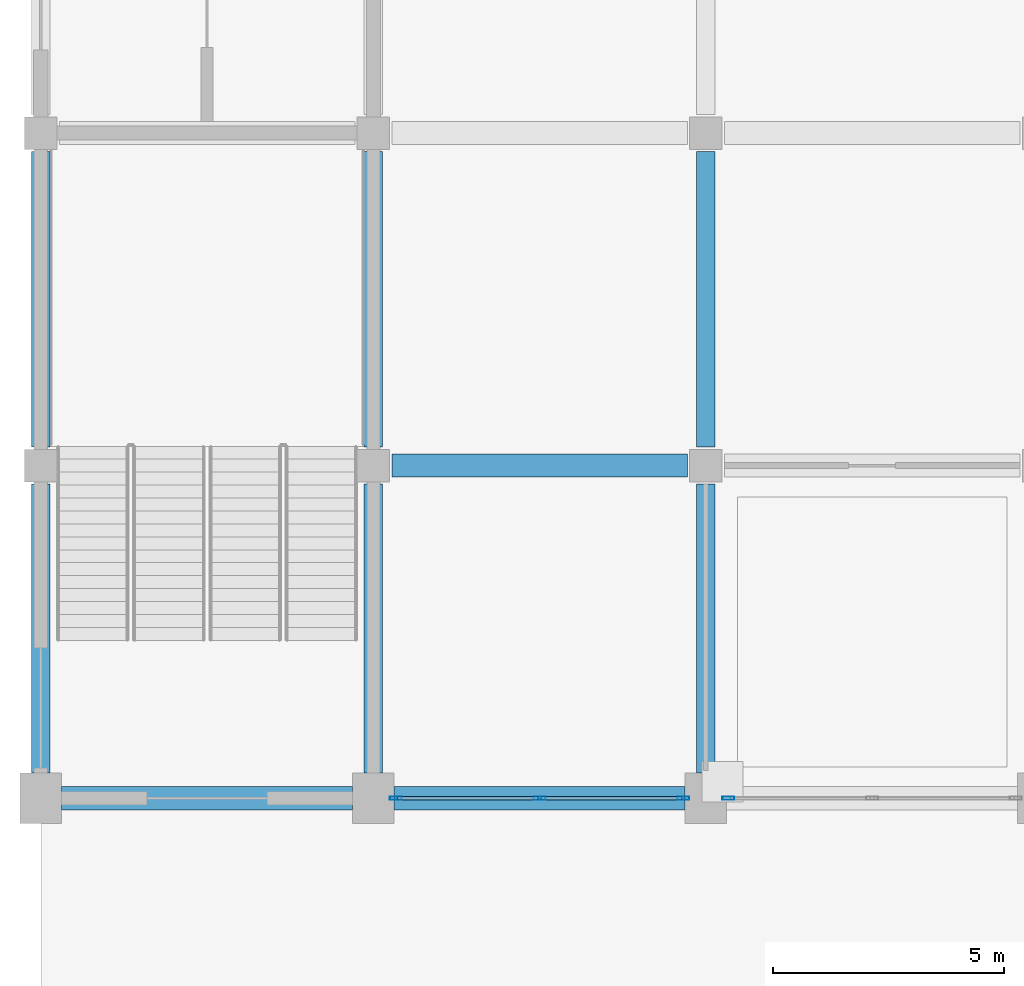
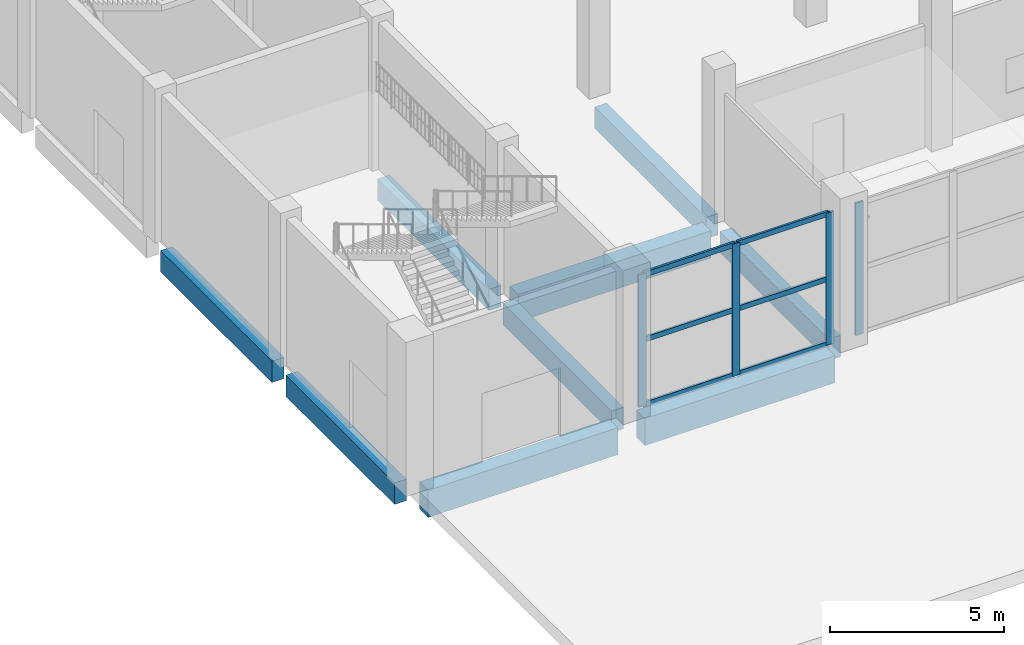
# One storey, part 4 of 70: 10 members, 9 beams, 2 elements without a shape of their own.
"""IFC4 building model written with IfcOpenShell, lengths in metres."""

from ifc_helpers import new_model, si_unit, direction, frame, origin, origin_2d, place, context, subcontext, project, spatial, rectangle, hollow_rectangle, extrude, material, material_profile, profile_set, type_object, element, aggregate, save


model = new_model("IFC4")

# Units and contexts
model_context = context("Model", 3, precision=1e-05, world=origin(), true_north=direction((0.0, 1.0)))
body_context = subcontext(model_context, "Body", "Model", "MODEL_VIEW")
ifc_project = project(units=[si_unit("LENGTHUNIT", "METRE"), si_unit("AREAUNIT", "SQUARE_METRE"), si_unit("VOLUMEUNIT", "CUBIC_METRE"), si_unit("PLANEANGLEUNIT", "RADIAN"), si_unit("MASSUNIT", "GRAM", prefix="KILO")], contexts=[model_context])

# Site, building, storey
site_placement = place(None, origin())
site = spatial("IfcSite", under=ifc_project, at=site_placement, CompositionType="ELEMENT")
building_placement = place(site_placement, origin())
building = spatial("IfcBuilding", under=site, at=building_placement, Name="Vesperath Aquatics Centre", CompositionType="ELEMENT")
storey_placement = place(building_placement, origin())
storey = spatial("IfcBuildingStorey", under=building, at=storey_placement, Name="L00", CompositionType="ELEMENT", Elevation=0.0)

# Beams
ifc_material_1 = material(Name="Concrete C40", Category="concrete")
ifc_material_profile_1 = material_profile(ifc_material_1, rectangle(XDim=0.5, YDim=0.949951171875, at=origin_2d()), Name="RC 500x950")
ifc_profile_set_1 = profile_set([ifc_material_profile_1], Name="Concrete C40")
beam_type_1 = type_object("IfcBeamType", Name="BM-G02", PredefinedType="BEAM", material=ifc_profile_set_1)
for number, where, z_axis, x_axis, name in (
    (1, (0.449951171875, 14.39990234375, -0.7548828125), (1.0, 0.0, 0.0), (0.0, 1.0, 0.0), "Floor Girder B02 L00 C 1-2"),
    (2, (7.64990234375, 14.39990234375, -0.7548828125), (1.0, 0.0, 0.0), (0.0, 1.0, 0.0), "Floor Girder B02 L00 C 2-3"),
):
    element("IfcBeam", number, at=place(storey_placement, frame(where, z_axis=z_axis, x_axis=x_axis)), inside=storey, type_object=beam_type_1, Name=name, PredefinedType="BEAM", context=body_context, shape_type="SweptSolid", body=[
        extrude(rectangle(XDim=0.5, YDim=0.949951171875, at=origin_2d()), origin(), (0.0, 0.0, 1.0), 6.300048828125),
    ])
beam_1_placement = place(storey_placement, frame((7.60009765625, 21.60009765625, -0.7548828125), z_axis=(1.0, 0.0, 0.0), x_axis=(0.0, 1.0, 0.0)))
element("IfcBeam", 3, at=beam_1_placement, inside=storey, type_object=beam_type_1, Name="Floor Girder B02 L00 D 2-3", PredefinedType="BEAM", context=body_context, shape_type="SweptSolid", body=[
    extrude(rectangle(XDim=0.5, YDim=0.949951171875, at=origin_2d()), origin(), (0.0, 0.0, 1.0), 6.39990234375),
])
ifc_material_2 = material(Name="Concrete C35", Category="concrete")
ifc_material_profile_2 = material_profile(ifc_material_2, rectangle(XDim=0.39990234375, YDim=0.75, at=origin_2d()), Name="RC 400x750")
ifc_profile_set_2 = profile_set([ifc_material_profile_2], Name="Concrete C35")
beam_type_2 = type_object("IfcBeamType", Name="BM-G04", PredefinedType="BEAM", material=ifc_profile_set_2)
beam_2_placement = place(storey_placement, frame((0.0, 14.949951171875, -0.655029296875), z_axis=(0.0, 1.0, 0.0), x_axis=(-1.0, 0.0, 0.0)))
element("IfcBeam", 4, at=beam_2_placement, inside=storey, type_object=beam_type_2, Name="Floor Girder B04 L00 1 C-D", PredefinedType="BEAM", context=body_context, shape_type="SweptSolid", body=[
    extrude(rectangle(XDim=0.39990234375, YDim=0.75, at=origin_2d()), origin(), (0.0, 0.0, 1.0), 6.25),
])
beam_3_placement = place(storey_placement, frame((0.0, 22.0, -0.655029296875), z_axis=(0.0, 1.0, 0.0), x_axis=(-1.0, 0.0, 0.0)))
element("IfcBeam", 5, at=beam_3_placement, inside=storey, type_object=beam_type_2, Name="Floor Girder B04 L00 1 D-E", PredefinedType="BEAM", context=body_context, shape_type="SweptSolid", body=[
    extrude(rectangle(XDim=0.39990234375, YDim=0.75, at=origin_2d()), origin(), (0.0, 0.0, 1.0), 6.39990234375),
])
beam_4_placement = place(storey_placement, frame((7.199951171875, 14.949951171875, -0.655029296875), z_axis=(0.0, 1.0, 0.0), x_axis=(-1.0, 0.0, 0.0)))
element("IfcBeam", 6, at=beam_4_placement, inside=storey, type_object=beam_type_2, Name="Floor Girder B04 L00 2 C-D", PredefinedType="BEAM", context=body_context, shape_type="SweptSolid", body=[
    extrude(rectangle(XDim=0.39990234375, YDim=0.75, at=origin_2d()), origin(), (0.0, 0.0, 1.0), 6.25),
])
beam_5_placement = place(storey_placement, frame((7.199951171875, 22.0, -0.655029296875), z_axis=(0.0, 1.0, 0.0), x_axis=(-1.0, 0.0, 0.0)))
element("IfcBeam", 7, at=beam_5_placement, inside=storey, type_object=beam_type_2, Name="Floor Girder B04 L00 2 D-E", PredefinedType="BEAM", context=body_context, shape_type="SweptSolid", body=[
    extrude(rectangle(XDim=0.39990234375, YDim=0.75, at=origin_2d()), origin(), (0.0, 0.0, 1.0), 6.39990234375),
])
beam_6_placement = place(storey_placement, frame((14.39990234375, 14.949951171875, -0.655029296875), z_axis=(0.0, 1.0, 0.0), x_axis=(-1.0, 0.0, 0.0)))
element("IfcBeam", 8, at=beam_6_placement, inside=storey, type_object=beam_type_2, Name="Floor Girder B04 L00 3 C-D", PredefinedType="BEAM", context=body_context, shape_type="SweptSolid", body=[
    extrude(rectangle(XDim=0.39990234375, YDim=0.75, at=origin_2d()), origin(), (0.0, 0.0, 1.0), 6.25),
])
beam_7_placement = place(storey_placement, frame((14.39990234375, 22.0, -0.655029296875), z_axis=(0.0, 1.0, 0.0), x_axis=(-1.0, 0.0, 0.0)))
element("IfcBeam", 9, at=beam_7_placement, inside=storey, type_object=beam_type_2, Name="Floor Girder B04 L00 3 D-E", PredefinedType="BEAM", context=body_context, shape_type="SweptSolid", body=[
    extrude(rectangle(XDim=0.39990234375, YDim=0.75, at=origin_2d()), origin(), (0.0, 0.0, 1.0), 6.39990234375),
])

# Curtain wall, members
ifc_material_3 = material(Name="Thermally broken anodised bronze aluminium curtain wall", Category="aluminium")
curtain_wall_type = type_object("IfcCurtainWallType", Name="CW-01", PredefinedType="NOTDEFINED", material=ifc_material_3)
curtain_wall_1_placement = place(storey_placement, origin())
curtain_wall_1 = element("IfcCurtainWall", 10, at=curtain_wall_1_placement, inside=storey, type_object=curtain_wall_type, Name="Facade Curtain Wall CW01 L00_S_01_02", PredefinedType="NOTDEFINED")
ifc_material_4 = material(Name="Thermally broken anodised aluminium", Category="aluminium")
ifc_material_profile_3 = material_profile(ifc_material_4, hollow_rectangle(XDim=0.074951171875, YDim=0.260009765625, WallThickness=0.006103515625, at=origin_2d()), Name="CWM 75x260x6")
ifc_profile_set_3 = profile_set([ifc_material_profile_3], Name="Thermally broken anodised aluminium")
member_type_1 = type_object("IfcMemberType", Name="MB-CWM1", PredefinedType="MULLION", material=ifc_profile_set_3)
member_1_placement = place(storey_placement, frame((7.6875, 14.39990234375, 0.0), z_axis=(0.0, 0.0, 1.0), x_axis=(0.0, 1.0, 0.0)))
member_1 = element("IfcMember", 11, at=member_1_placement, type_object=member_type_1, Name="CW01 mullion 1", PredefinedType="MULLION", context=body_context, shape_type="SweptSolid", body=[
    extrude(hollow_rectangle(XDim=0.074951171875, YDim=0.260009765625, WallThickness=0.006103515625, at=origin_2d()), origin(), (0.0, 0.0, 1.0), 4.639892578125),
])
member_2_placement = place(storey_placement, frame((10.800048828125, 14.39990234375, 0.0), z_axis=(0.0, 0.0, 1.0), x_axis=(0.0, 1.0, 0.0)))
member_2 = element("IfcMember", 12, at=member_2_placement, type_object=member_type_1, Name="CW01 mullion 2", PredefinedType="MULLION", context=body_context, shape_type="SweptSolid", body=[
    extrude(hollow_rectangle(XDim=0.074951171875, YDim=0.260009765625, WallThickness=0.006103515625, at=origin_2d()), origin(), (0.0, 0.0, 1.0), 4.639892578125),
])
member_3_placement = place(storey_placement, frame((13.91259765625, 14.39990234375, 0.0), z_axis=(0.0, 0.0, 1.0), x_axis=(0.0, 1.0, 0.0)))
member_3 = element("IfcMember", 13, at=member_3_placement, type_object=member_type_1, Name="CW01 mullion 3", PredefinedType="MULLION", context=body_context, shape_type="SweptSolid", body=[
    extrude(hollow_rectangle(XDim=0.074951171875, YDim=0.260009765625, WallThickness=0.006103515625, at=origin_2d()), origin(), (0.0, 0.0, 1.0), 4.639892578125),
])

# Curtain wall, member
curtain_wall_2_placement = place(storey_placement, origin())
curtain_wall_2 = element("IfcCurtainWall", 14, at=curtain_wall_2_placement, inside=storey, type_object=curtain_wall_type, Name="Facade Curtain Wall CW01 L00_S_02_02", PredefinedType="NOTDEFINED")
member_4_placement = place(storey_placement, frame((14.887451171875, 14.39990234375, 0.0), z_axis=(0.0, 0.0, 1.0), x_axis=(0.0, 1.0, 0.0)))
member_4 = element("IfcMember", 15, at=member_4_placement, type_object=member_type_1, Name="CW01 mullion 1", PredefinedType="MULLION", context=body_context, shape_type="SweptSolid", body=[
    extrude(hollow_rectangle(XDim=0.074951171875, YDim=0.260009765625, WallThickness=0.006103515625, at=origin_2d()), origin(), (0.0, 0.0, 1.0), 4.639892578125),
])
aggregate(curtain_wall_2, [member_4])

# Member
ifc_material_profile_4 = material_profile(ifc_material_4, hollow_rectangle(XDim=0.074951171875, YDim=0.179931640625, WallThickness=0.0048828125, at=origin_2d()), Name="CWT 75x180x5")
ifc_profile_set_4 = profile_set([ifc_material_profile_4], Name="Thermally broken anodised aluminium")
member_type_2 = type_object("IfcMemberType", Name="MB-CWT1", PredefinedType="USERDEFINED", material=ifc_profile_set_4)
member_5_placement = place(storey_placement, frame((7.72509765625, 14.39990234375, 0.03759765625), z_axis=(1.0, 0.0, 0.0), x_axis=(0.0, 1.0, 0.0)))
member_5 = element("IfcMember", 16, at=member_5_placement, type_object=member_type_2, Name="CW01 transom 1.1", ObjectType="TRANSOM", PredefinedType="USERDEFINED", context=body_context, shape_type="SweptSolid", body=[
    extrude(hollow_rectangle(XDim=0.074951171875, YDim=0.179931640625, WallThickness=0.0048828125, at=origin_2d()), origin(), (0.0, 0.0, 1.0), 3.037353515625),
])

member_6_placement = place(storey_placement, frame((7.72509765625, 14.39990234375, 2.320068359375), z_axis=(1.0, 0.0, 0.0), x_axis=(0.0, 1.0, 0.0)))
member_6 = element("IfcMember", 17, at=member_6_placement, type_object=member_type_2, Name="CW01 transom 1.2", ObjectType="TRANSOM", PredefinedType="USERDEFINED", context=body_context, shape_type="SweptSolid", body=[
    extrude(hollow_rectangle(XDim=0.074951171875, YDim=0.179931640625, WallThickness=0.0048828125, at=origin_2d()), origin(), (0.0, 0.0, 1.0), 3.037353515625),
])

member_7_placement = place(storey_placement, frame((7.72509765625, 14.39990234375, 4.6025390625), z_axis=(1.0, 0.0, 0.0), x_axis=(0.0, 1.0, 0.0)))
member_7 = element("IfcMember", 18, at=member_7_placement, type_object=member_type_2, Name="CW01 transom 1.3", ObjectType="TRANSOM", PredefinedType="USERDEFINED", context=body_context, shape_type="SweptSolid", body=[
    extrude(hollow_rectangle(XDim=0.074951171875, YDim=0.179931640625, WallThickness=0.0048828125, at=origin_2d()), origin(), (0.0, 0.0, 1.0), 3.037353515625),
])

member_8_placement = place(storey_placement, frame((10.83740234375, 14.39990234375, 0.03759765625), z_axis=(1.0, 0.0, 0.0), x_axis=(0.0, 1.0, 0.0)))
member_8 = element("IfcMember", 19, at=member_8_placement, type_object=member_type_2, Name="CW01 transom 2.1", ObjectType="TRANSOM", PredefinedType="USERDEFINED", context=body_context, shape_type="SweptSolid", body=[
    extrude(hollow_rectangle(XDim=0.074951171875, YDim=0.179931640625, WallThickness=0.0048828125, at=origin_2d()), origin(), (0.0, 0.0, 1.0), 3.03759765625),
])

member_9_placement = place(storey_placement, frame((10.83740234375, 14.39990234375, 2.320068359375), z_axis=(1.0, 0.0, 0.0), x_axis=(0.0, 1.0, 0.0)))
member_9 = element("IfcMember", 20, at=member_9_placement, type_object=member_type_2, Name="CW01 transom 2.2", ObjectType="TRANSOM", PredefinedType="USERDEFINED", context=body_context, shape_type="SweptSolid", body=[
    extrude(hollow_rectangle(XDim=0.074951171875, YDim=0.179931640625, WallThickness=0.0048828125, at=origin_2d()), origin(), (0.0, 0.0, 1.0), 3.03759765625),
])

member_10_placement = place(storey_placement, frame((10.83740234375, 14.39990234375, 4.6025390625), z_axis=(1.0, 0.0, 0.0), x_axis=(0.0, 1.0, 0.0)))
member_10 = element("IfcMember", 21, at=member_10_placement, type_object=member_type_2, Name="CW01 transom 2.3", ObjectType="TRANSOM", PredefinedType="USERDEFINED", context=body_context, shape_type="SweptSolid", body=[
    extrude(hollow_rectangle(XDim=0.074951171875, YDim=0.179931640625, WallThickness=0.0048828125, at=origin_2d()), origin(), (0.0, 0.0, 1.0), 3.03759765625),
])

aggregate(curtain_wall_1, [member_1, member_2, member_3, member_5, member_6, member_7, member_8, member_9, member_10])

save(model, "model.ifc")
